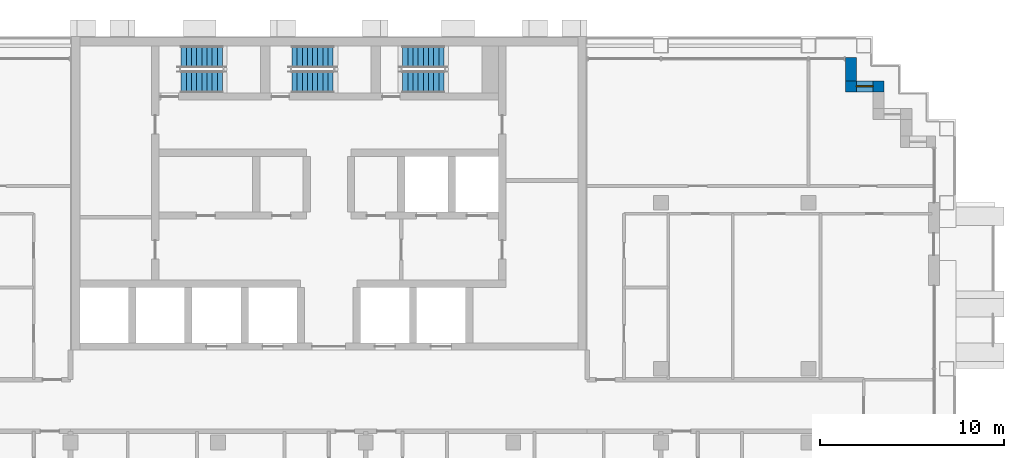
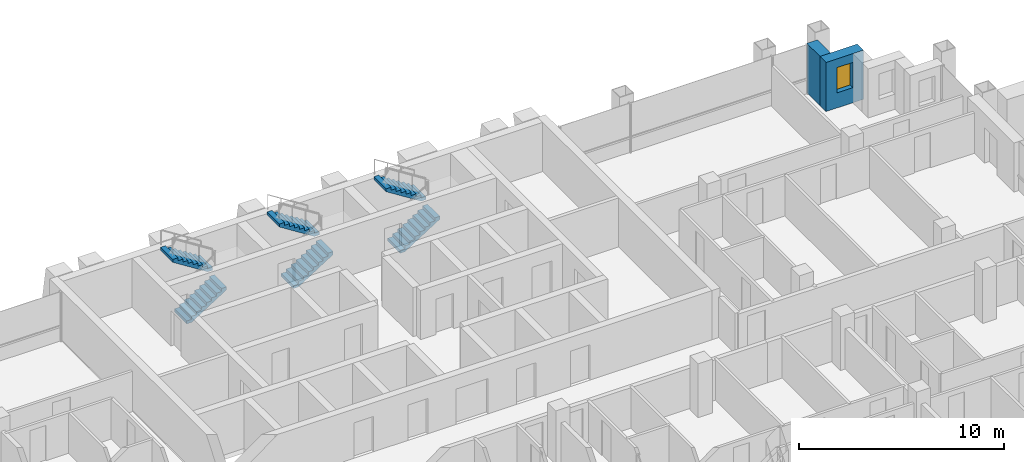
# One storey, part 13 of 17: 6 stair flights, 2 walls, 1 window, 1 opening, 3 elements without a shape of their own.
"""IFC4 building model written with IfcOpenShell, lengths in metres."""

from ifc_helpers import new_model, si_unit, direction, frame, frame_2d, origin, place, context, subcontext, project, spatial, polyline, rectangle, outline, extrude, material, layer, layer_set, type_object, element, fill, aggregate, save


model = new_model("IFC4")

# Units and contexts
model_context = context("Model", 3, precision=1e-05, world=origin(), true_north=direction((0.0, 1.0)))
body_context = subcontext(model_context, "Body", "Model", "MODEL_VIEW")
ifc_project = project(units=[si_unit("LENGTHUNIT", "METRE"), si_unit("AREAUNIT", "SQUARE_METRE"), si_unit("VOLUMEUNIT", "CUBIC_METRE"), si_unit("PLANEANGLEUNIT", "RADIAN"), si_unit("MASSUNIT", "GRAM", prefix="KILO")], contexts=[model_context])

# Site, building, storey
site_placement = place(None, origin())
site = spatial("IfcSite", under=ifc_project, at=site_placement, CompositionType="ELEMENT")
building_placement = place(site_placement, origin())
building = spatial("IfcBuilding", under=site, at=building_placement, Name="Vidyagriha Tower", CompositionType="ELEMENT")
storey_placement = place(building_placement, frame((0.0, 0.0, 119.800048828125)))
storey = spatial("IfcBuildingStorey", under=building, at=storey_placement, Name="L30", CompositionType="ELEMENT", Elevation=119.800048828125)

# Wall, opening, window
ifc_material_1 = material(Name="Precast concrete C40/50 with brick facing", Category="concrete")
ifc_layer = layer(ifc_material_1, 0.60009765625)
ifc_layer_set = layer_set([ifc_layer], Name="Precast concrete C40/50 with brick facing")
wall_type = type_object("IfcWallType", Name="Brick-faced precast wall 600", PredefinedType="STANDARD", material=ifc_layer_set)
wall_1_placement = place(storey_placement, frame((30.10009765625, 17.300048828125, 0.0), z_axis=(0.0, 0.0, 1.0), x_axis=(-1.0, 0.0, 0.0)))
wall_1 = element("IfcWall", 1, at=wall_1_placement, inside=storey, type_object=wall_type, Name="Stepped corner wall L30 R05", PredefinedType="STANDARD", context=body_context, shape_type="SweptSolid", body=[
    extrude(rectangle(XDim=2.10009765625, YDim=0.60009765625, at=frame_2d((1.050048828125, 0.0))), origin(), (0.0, 0.0, 1.0), 2.919921875),
])
opening_placement = place(wall_1_placement, frame((0.60009765625, 0.0, 0.89990234375)))
opening = element("IfcOpeningElement", 2, at=opening_placement, cuts=wall_1, Name="Opening WN1", PredefinedType="OPENING", context=body_context, shape_type="SweptSolid", body=[
    extrude(rectangle(XDim=0.89990234375, YDim=1.5, at=frame_2d((0.449951171875, 0.75))), frame((0.0, 0.31005859375, 0.0), z_axis=(0.0, -1.0, 0.0), x_axis=(1.0, 0.0, 0.0)), (0.0, 0.0, 1.0), 0.6201171875),
])
ifc_material_2 = material(Name="Aluminium and glass window", Category="aluminium")
window_type = type_object("IfcWindowType", Name="Reveal window 900x1500", PartitioningType="NOTDEFINED", PredefinedType="WINDOW", material=ifc_material_2)
window_placement = place(opening_placement, origin())
window = element("IfcWindow", 3, at=window_placement, inside=storey, type_object=window_type, Name="Reveal window L30 R05", OverallHeight=1.5, OverallWidth=0.89990234375, PartitioningType="SINGLE_PANEL", PredefinedType="WINDOW", context=body_context, shape_type="SweptSolid", body=[
    extrude(rectangle(XDim=0.89990234375, YDim=1.5, at=frame_2d((0.449951171875, 0.75))), frame((0.0, 0.030029296875, 0.0), z_axis=(0.0, -1.0, 0.0), x_axis=(1.0, 0.0, 0.0)), (0.0, 0.0, 1.0), 0.06005859375),
])
fill(opening, window)

# Wall
wall_2_placement = place(storey_placement, frame((28.300048828125, 17.60009765625, 0.0), z_axis=(0.0, 0.0, 1.0), x_axis=(0.0, 1.0, 0.0)))
element("IfcWall", 4, at=wall_2_placement, inside=storey, type_object=wall_type, Name="Stepped corner wall L30 R06", PredefinedType="STANDARD", context=body_context, shape_type="SweptSolid", body=[
    extrude(rectangle(XDim=1.27978515625, YDim=0.60009765625, at=frame_2d((0.639892578125, 0.0))), origin(), (0.0, 0.0, 1.0), 2.919921875),
])

# Stair, stair flights
ifc_material_3 = material(Name="Concrete C40/50", Category="concrete")
stair_type = type_object("IfcStairType", Name="Exit stair, half-turn, precast flights", PredefinedType="HALF_TURN_STAIR", material=ifc_material_3)
stair_1_placement = place(storey_placement, origin())
stair_1 = element("IfcStair", 5, at=stair_1_placement, inside=storey, type_object=stair_type, Name="L30 Exit Stair ST1", PredefinedType="HALF_TURN_STAIR")
ifc_material_4 = material(Name="Precast concrete C40/50", Category="concrete")
stair_flight_type = type_object("IfcStairFlightType", Name="Exit stair flight 1200 mm, precast", PredefinedType="STRAIGHT", material=ifc_material_4)
stair_flight_1_placement = place(storey_placement, frame((-8.0, 17.550048828125, 0.0)))
stair_flight_1 = element("IfcStairFlight", 6, at=stair_flight_1_placement, type_object=stair_flight_type, Name="ST1 flight 1", NumberOfRisers=9, NumberOfTreads=8, PredefinedType="STRAIGHT", RiserHeight=0.177777778, TreadLength=0.28, context=body_context, shape_type="SweptSolid", body=[
    extrude(outline(polyline([(0.0, 0.0), (0.0, 0.177734375), (0.280029296875, 0.177734375), (0.280029296875, 0.35546875), (0.56005859375, 0.35546875), (0.56005859375, 0.533447265625), (0.840087890625, 0.533447265625), (0.840087890625, 0.711181640625), (1.1201171875, 0.711181640625), (1.1201171875, 0.888916015625), (1.39990234375, 0.888916015625), (1.39990234375, 1.066650390625), (1.679931640625, 1.066650390625), (1.679931640625, 1.244384765625), (1.9599609375, 1.244384765625), (1.9599609375, 1.422119140625), (2.239990234375, 1.422119140625), (2.239990234375, 1.60009765625), (2.239990234375, 1.24462890625), (0.27978515625, 0.0), (0.0, 0.0)])), frame((0.0, 0.60009765625, 0.0), z_axis=(0.0, -1.0, 0.0), x_axis=(1.0, 0.0, 0.0)), (0.0, 0.0, 1.0), 1.199951171875),
])
stair_flight_2_placement = place(storey_placement, frame((-5.760009765625, 18.89990234375, 1.599853515625), z_axis=(0.0, 0.0, 1.0), x_axis=(-1.0, 0.0, 0.0)))
stair_flight_2 = element("IfcStairFlight", 7, at=stair_flight_2_placement, type_object=stair_flight_type, Name="ST1 flight 2", NumberOfRisers=9, NumberOfTreads=8, PredefinedType="STRAIGHT", RiserHeight=0.177777778, TreadLength=0.28, context=body_context, shape_type="SweptSolid", body=[
    extrude(outline(polyline([(0.0, 0.0), (0.0, 0.177734375), (0.280029296875, 0.177734375), (0.280029296875, 0.35546875), (0.56005859375, 0.35546875), (0.56005859375, 0.533447265625), (0.840087890625, 0.533447265625), (0.840087890625, 0.711181640625), (1.1201171875, 0.711181640625), (1.1201171875, 0.888916015625), (1.39990234375, 0.888916015625), (1.39990234375, 1.066650390625), (1.679931640625, 1.066650390625), (1.679931640625, 1.244384765625), (1.9599609375, 1.244384765625), (1.9599609375, 1.422119140625), (2.239990234375, 1.422119140625), (2.239990234375, 1.60009765625), (2.239990234375, 1.24462890625), (0.27978515625, 0.0), (0.0, 0.0)])), frame((0.0, 0.60009765625, 0.0), z_axis=(0.0, -1.0, 0.0), x_axis=(1.0, 0.0, 0.0)), (0.0, 0.0, 1.0), 1.199951171875),
])
aggregate(stair_1, [stair_flight_1, stair_flight_2])

stair_2_placement = place(storey_placement, origin())
stair_2 = element("IfcStair", 8, at=stair_2_placement, inside=storey, type_object=stair_type, Name="L30 Exit Stair ST2", PredefinedType="HALF_TURN_STAIR")
stair_flight_3_placement = place(storey_placement, frame((-2.0, 17.550048828125, 0.0)))
stair_flight_3 = element("IfcStairFlight", 9, at=stair_flight_3_placement, type_object=stair_flight_type, Name="ST2 flight 1", NumberOfRisers=9, NumberOfTreads=8, PredefinedType="STRAIGHT", RiserHeight=0.177777778, TreadLength=0.28, context=body_context, shape_type="SweptSolid", body=[
    extrude(outline(polyline([(0.0, 0.0), (0.0, 0.177734375), (0.280029296875, 0.177734375), (0.280029296875, 0.35546875), (0.56005859375, 0.35546875), (0.56005859375, 0.533447265625), (0.840087890625, 0.533447265625), (0.840087890625, 0.711181640625), (1.1201171875, 0.711181640625), (1.1201171875, 0.888916015625), (1.39990234375, 0.888916015625), (1.39990234375, 1.066650390625), (1.679931640625, 1.066650390625), (1.679931640625, 1.244384765625), (1.9599609375, 1.244384765625), (1.9599609375, 1.422119140625), (2.239990234375, 1.422119140625), (2.239990234375, 1.60009765625), (2.239990234375, 1.24462890625), (0.27978515625, 0.0), (0.0, 0.0)])), frame((0.0, 0.60009765625, 0.0), z_axis=(0.0, -1.0, 0.0), x_axis=(1.0, 0.0, 0.0)), (0.0, 0.0, 1.0), 1.199951171875),
])
stair_flight_4_placement = place(storey_placement, frame((0.239990234375, 18.89990234375, 1.599853515625), z_axis=(0.0, 0.0, 1.0), x_axis=(-1.0, 0.0, 0.0)))
stair_flight_4 = element("IfcStairFlight", 10, at=stair_flight_4_placement, type_object=stair_flight_type, Name="ST2 flight 2", NumberOfRisers=9, NumberOfTreads=8, PredefinedType="STRAIGHT", RiserHeight=0.177777778, TreadLength=0.28, context=body_context, shape_type="SweptSolid", body=[
    extrude(outline(polyline([(0.0, 0.0), (0.0, 0.177734375), (0.280029296875, 0.177734375), (0.280029296875, 0.35546875), (0.56005859375, 0.35546875), (0.56005859375, 0.533447265625), (0.840087890625, 0.533447265625), (0.840087890625, 0.711181640625), (1.1201171875, 0.711181640625), (1.1201171875, 0.888916015625), (1.39990234375, 0.888916015625), (1.39990234375, 1.066650390625), (1.679931640625, 1.066650390625), (1.679931640625, 1.244384765625), (1.9599609375, 1.244384765625), (1.9599609375, 1.422119140625), (2.239990234375, 1.422119140625), (2.239990234375, 1.60009765625), (2.239990234375, 1.24462890625), (0.27978515625, 0.0), (0.0, 0.0)])), frame((0.0, 0.60009765625, 0.0), z_axis=(0.0, -1.0, 0.0), x_axis=(1.0, 0.0, 0.0)), (0.0, 0.0, 1.0), 1.199951171875),
])
aggregate(stair_2, [stair_flight_3, stair_flight_4])

stair_3_placement = place(storey_placement, origin())
stair_3 = element("IfcStair", 11, at=stair_3_placement, inside=storey, type_object=stair_type, Name="L30 Exit Stair ST3", PredefinedType="HALF_TURN_STAIR")
stair_flight_5_placement = place(storey_placement, frame((4.0, 17.550048828125, 0.0)))
stair_flight_5 = element("IfcStairFlight", 12, at=stair_flight_5_placement, type_object=stair_flight_type, Name="ST3 flight 1", NumberOfRisers=9, NumberOfTreads=8, PredefinedType="STRAIGHT", RiserHeight=0.177777778, TreadLength=0.28, context=body_context, shape_type="SweptSolid", body=[
    extrude(outline(polyline([(0.0, 0.0), (0.0, 0.177734375), (0.280029296875, 0.177734375), (0.280029296875, 0.35546875), (0.56005859375, 0.35546875), (0.56005859375, 0.533447265625), (0.840087890625, 0.533447265625), (0.840087890625, 0.711181640625), (1.1201171875, 0.711181640625), (1.1201171875, 0.888916015625), (1.39990234375, 0.888916015625), (1.39990234375, 1.066650390625), (1.679931640625, 1.066650390625), (1.679931640625, 1.244384765625), (1.9599609375, 1.244384765625), (1.9599609375, 1.422119140625), (2.239990234375, 1.422119140625), (2.239990234375, 1.60009765625), (2.239990234375, 1.24462890625), (0.27978515625, 0.0), (0.0, 0.0)])), frame((0.0, 0.60009765625, 0.0), z_axis=(0.0, -1.0, 0.0), x_axis=(1.0, 0.0, 0.0)), (0.0, 0.0, 1.0), 1.199951171875),
])
stair_flight_6_placement = place(storey_placement, frame((6.239990234375, 18.89990234375, 1.599853515625), z_axis=(0.0, 0.0, 1.0), x_axis=(-1.0, 0.0, 0.0)))
stair_flight_6 = element("IfcStairFlight", 13, at=stair_flight_6_placement, type_object=stair_flight_type, Name="ST3 flight 2", NumberOfRisers=9, NumberOfTreads=8, PredefinedType="STRAIGHT", RiserHeight=0.177777778, TreadLength=0.28, context=body_context, shape_type="SweptSolid", body=[
    extrude(outline(polyline([(0.0, 0.0), (0.0, 0.177734375), (0.280029296875, 0.177734375), (0.280029296875, 0.35546875), (0.56005859375, 0.35546875), (0.56005859375, 0.533447265625), (0.840087890625, 0.533447265625), (0.840087890625, 0.711181640625), (1.1201171875, 0.711181640625), (1.1201171875, 0.888916015625), (1.39990234375, 0.888916015625), (1.39990234375, 1.066650390625), (1.679931640625, 1.066650390625), (1.679931640625, 1.244384765625), (1.9599609375, 1.244384765625), (1.9599609375, 1.422119140625), (2.239990234375, 1.422119140625), (2.239990234375, 1.60009765625), (2.239990234375, 1.24462890625), (0.27978515625, 0.0), (0.0, 0.0)])), frame((0.0, 0.60009765625, 0.0), z_axis=(0.0, -1.0, 0.0), x_axis=(1.0, 0.0, 0.0)), (0.0, 0.0, 1.0), 1.199951171875),
])
aggregate(stair_3, [stair_flight_5, stair_flight_6])

save(model, "model.ifc")
